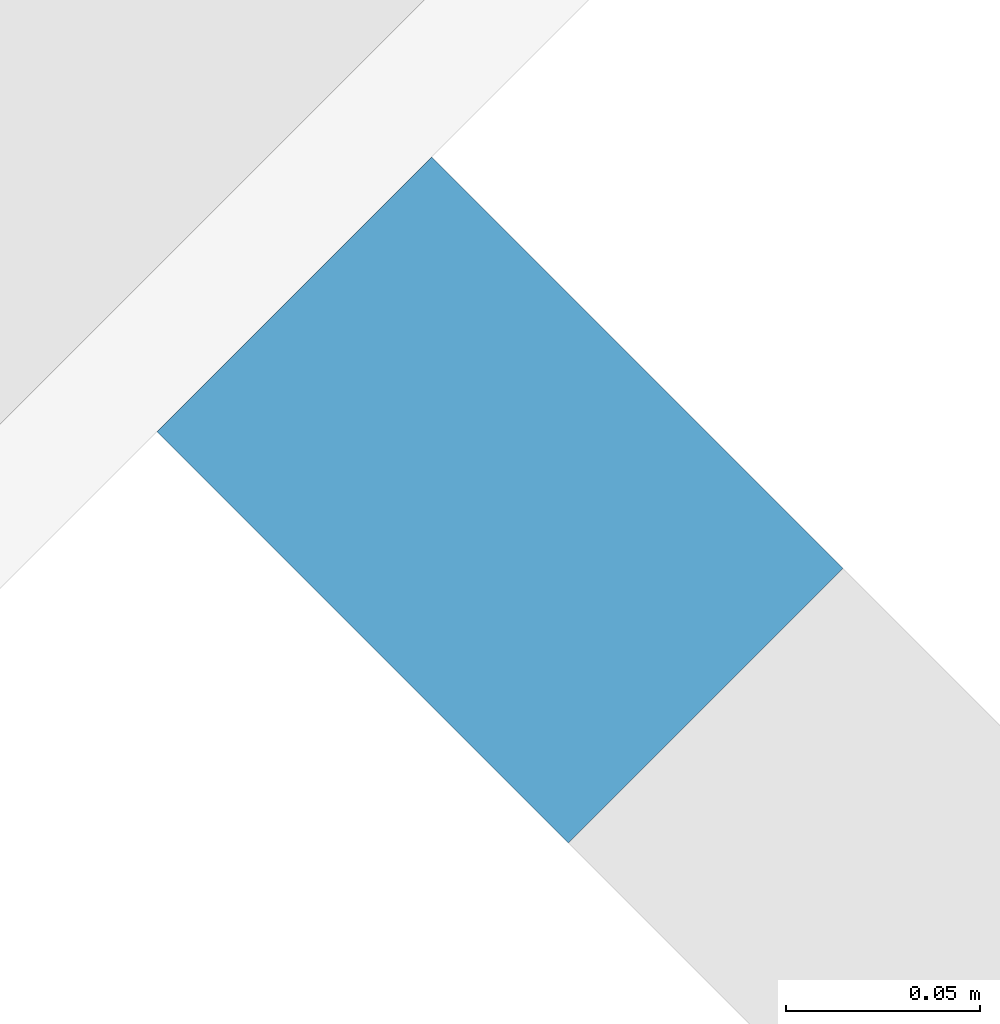
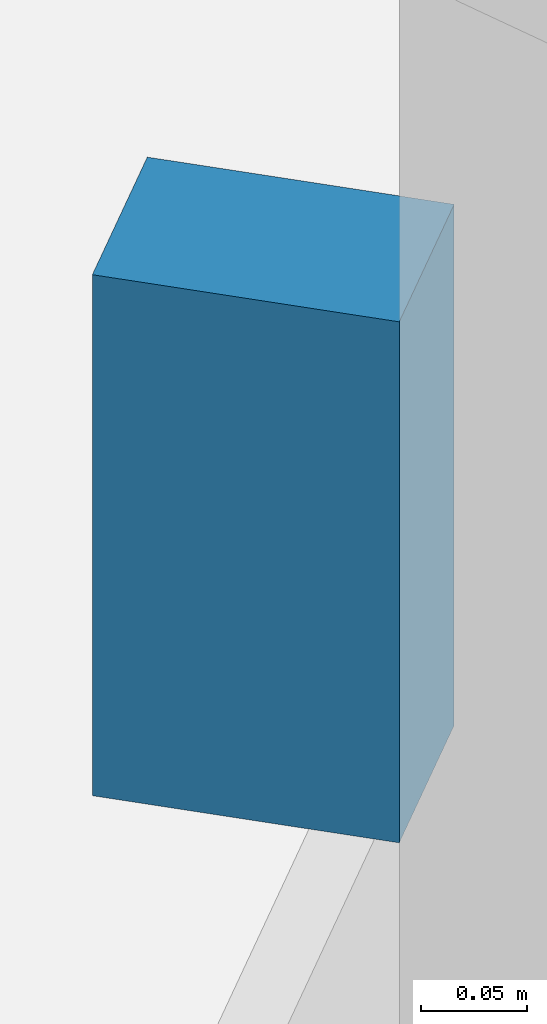
# One storey, part 10 of 27: 1 discrete accessory.
"""IFC4 building model written with IfcOpenShell, lengths in metres."""

from ifc_helpers import new_model, si_unit, direction, frame, origin, origin_2d, place, context, subcontext, project, spatial, rectangle, extrude, material, type_object, element, save


model = new_model("IFC4")

# Units and contexts
model_context = context("Model", 3, precision=1e-05, world=origin(), true_north=direction((0.0, 1.0)))
body_context = subcontext(model_context, "Body", "Model", "MODEL_VIEW")
ifc_project = project(units=[si_unit("LENGTHUNIT", "METRE"), si_unit("AREAUNIT", "SQUARE_METRE"), si_unit("VOLUMEUNIT", "CUBIC_METRE"), si_unit("PLANEANGLEUNIT", "RADIAN"), si_unit("MASSUNIT", "GRAM", prefix="KILO")], contexts=[model_context])

# Site, building, storey
site_placement = place(None, origin())
site = spatial("IfcSite", under=ifc_project, at=site_placement, CompositionType="ELEMENT")
building_placement = place(site_placement, origin())
building = spatial("IfcBuilding", under=site, at=building_placement, Name="Qamariyya Broadcast Tower", CompositionType="ELEMENT")
storey_placement = place(building_placement, frame((0.0, 0.0, 187.300048828125)))
storey = spatial("IfcBuildingStorey", under=building, at=storey_placement, Name="L44", CompositionType="ELEMENT", Elevation=187.300048828125)

# Discrete accessory
ifc_material = material(Name="Stainless steel 316", Category="steel")
discrete_accessory_type = type_object("IfcDiscreteAccessoryType", Name="Slab edge fixing angle, stainless steel", PredefinedType="BRACKET", material=ifc_material)
discrete_accessory_placement = place(storey_placement, frame((58.534912109375, -53.0546875, 3.2998046875), z_axis=(0.0, 0.0, 1.0), x_axis=(0.707106781187, 0.707106781187, 0.0)))
element("IfcDiscreteAccessory", 1, at=discrete_accessory_placement, inside=storey, type_object=discrete_accessory_type, Name="e-br-L44-13-0", PredefinedType="BRACKET", context=body_context, shape_type="SweptSolid", body=[
    extrude(rectangle(XDim=0.10009765625, YDim=0.14990234375, at=origin_2d()), origin(), (0.0, 0.0, 1.0), 0.300048828125),
])

save(model, "model.ifc")
